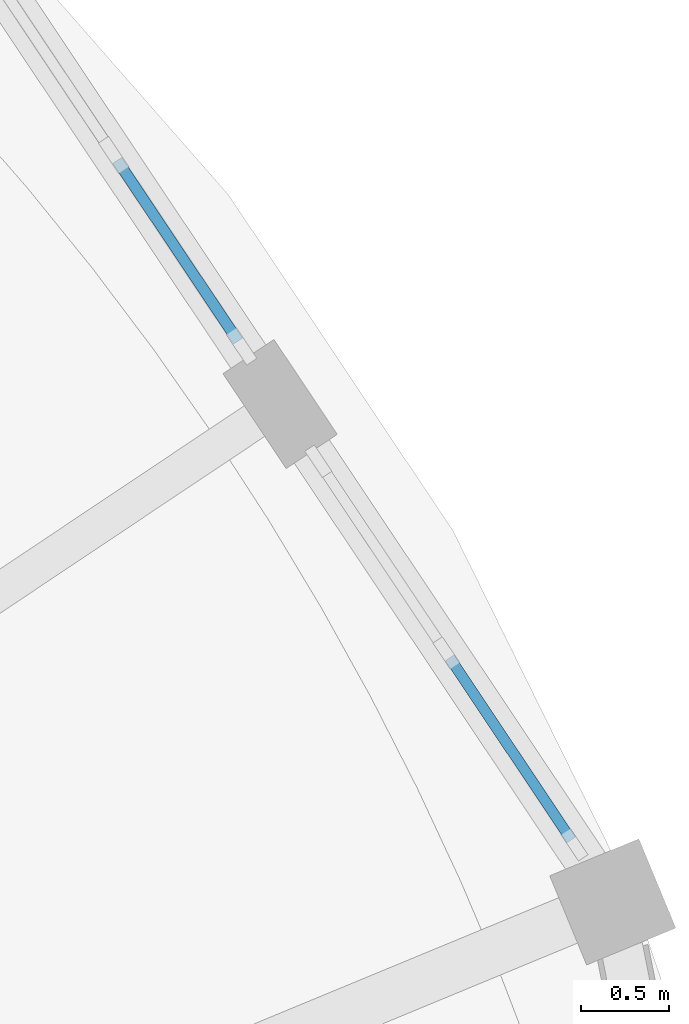
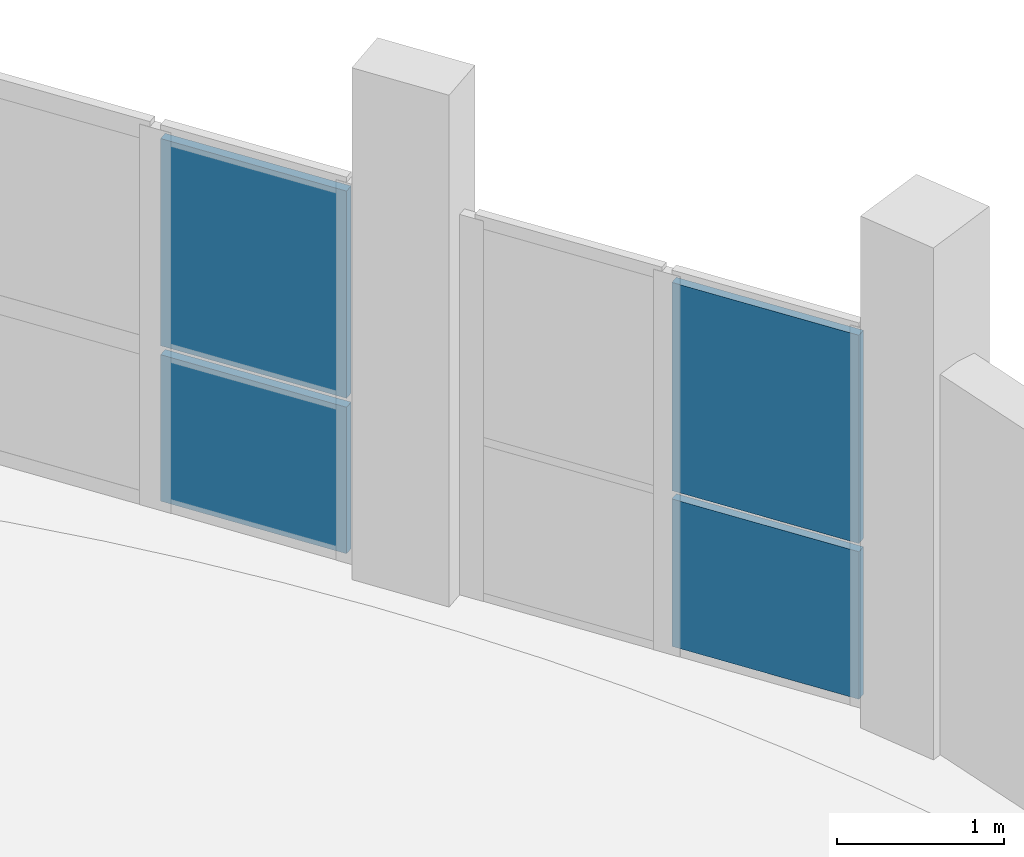
# One storey, part 54 of 77: 4 plates, 2 elements without a shape of their own.
"""IFC4 building model written with IfcOpenShell, lengths in metres."""

from ifc_helpers import new_model, si_unit, direction, frame, origin, origin_2d, place, context, subcontext, project, spatial, rectangle, extrude, material, layer, layer_set, type_object, element, aggregate, save


model = new_model("IFC4")

# Units and contexts
model_context = context("Model", 3, precision=1e-05, world=origin(), true_north=direction((0.0, 1.0)))
body_context = subcontext(model_context, "Body", "Model", "MODEL_VIEW")
ifc_project = project(units=[si_unit("LENGTHUNIT", "METRE"), si_unit("AREAUNIT", "SQUARE_METRE"), si_unit("VOLUMEUNIT", "CUBIC_METRE"), si_unit("PLANEANGLEUNIT", "RADIAN"), si_unit("MASSUNIT", "GRAM", prefix="KILO")], contexts=[model_context])

# Site, building, storey
site_placement = place(None, origin())
site = spatial("IfcSite", under=ifc_project, at=site_placement, CompositionType="ELEMENT")
building_placement = place(site_placement, origin())
building = spatial("IfcBuilding", under=site, at=building_placement, Name="Caldaven Crescent School", CompositionType="ELEMENT")
storey_placement = place(building_placement, frame((0.0, 0.0, 4.419921875)))
storey = spatial("IfcBuildingStorey", under=building, at=storey_placement, Name="L01", CompositionType="ELEMENT", Elevation=4.419921875)

# Curtain wall, plates
ifc_material_1 = material(Name="Anodised aluminium AA 6063-T6 and low-E double glazing", Category="aluminium")
ifc_layer_1 = layer(ifc_material_1, 0.18994140625)
ifc_layer_set_1 = layer_set([ifc_layer_1], Name="Anodised aluminium AA 6063-T6 and low-E double glazing")
curtain_wall_type_1 = type_object("IfcCurtainWallType", Name="CW-SYS2", PredefinedType="NOTDEFINED", material=ifc_layer_set_1)
curtain_wall_1_placement = place(storey_placement, origin())
curtain_wall_1 = element("IfcCurtainWall", 1, at=curtain_wall_1_placement, inside=storey, type_object=curtain_wall_type_1, Name="CW-L01-017", PredefinedType="NOTDEFINED")
ifc_material_2 = material(Name="Tempered low-E double glazing IGU", Category="glass")
ifc_layer_2 = layer(ifc_material_2, 0.06005859375)
ifc_layer_set_2 = layer_set([ifc_layer_2], Name="Tempered low-E double glazing IGU")
plate_type_1 = type_object("IfcPlateType", Name="PLT-CWP18", PredefinedType="CURTAIN_PANEL", material=ifc_layer_set_2)
plate_1_placement = place(storey_placement, frame((168.084716796875, 106.06982421875, 0.06005859375), z_axis=(0.0, 0.0, 1.0), x_axis=(-0.555569320019, 0.83147022235, 0.0)))
plate_1 = element("IfcPlate", 2, at=plate_1_placement, type_object=plate_type_1, Name="CW2 panel 1.1", PredefinedType="CURTAIN_PANEL", context=body_context, shape_type="SweptSolid", body=[
    extrude(rectangle(XDim=1.24951171875, YDim=0.06005859375, at=origin_2d()), origin(), (0.0, 0.0, 1.0), 1.077880859375),
])
plate_2_placement = place(storey_placement, frame((168.084716796875, 106.06982421875, 1.197998046875), z_axis=(0.0, 0.0, 1.0), x_axis=(-0.555569320019, 0.83147022235, 0.0)))
plate_2 = element("IfcPlate", 3, at=plate_2_placement, type_object=plate_type_1, Name="CW2 panel 1.2", PredefinedType="CURTAIN_PANEL", context=body_context, shape_type="SweptSolid", body=[
    extrude(rectangle(XDim=1.24951171875, YDim=0.06005859375, at=origin_2d()), origin(), (0.0, 0.0, 1.0), 1.52197265625),
])
aggregate(curtain_wall_1, [plate_1, plate_2])

ifc_layer_3 = layer(ifc_material_1, 0.2099609375)
ifc_layer_set_3 = layer_set([ifc_layer_3], Name="Anodised aluminium AA 6063-T6 and low-E double glazing")
curtain_wall_type_2 = type_object("IfcCurtainWallType", Name="CW-SYS3", PredefinedType="NOTDEFINED", material=ifc_layer_set_3)
curtain_wall_2_placement = place(storey_placement, origin())
curtain_wall_2 = element("IfcCurtainWall", 4, at=curtain_wall_2_placement, inside=storey, type_object=curtain_wall_type_2, Name="CW-L01-018", PredefinedType="NOTDEFINED")
ifc_material_3 = material(Name="Insulated bronze aluminium spandrel panel", Category="aluminium")
ifc_layer_4 = layer(ifc_material_3, 0.06201171875)
ifc_layer_set_4 = layer_set([ifc_layer_4], Name="Insulated bronze aluminium spandrel panel")
plate_type_2 = type_object("IfcPlateType", Name="PLT-CWP19", PredefinedType="CURTAIN_PANEL", material=ifc_layer_set_4)
plate_3_placement = place(storey_placement, frame((166.187255859375, 108.90966796875, 0.06494140625), z_axis=(0.0, 0.0, 1.0), x_axis=(-0.555571886154, 0.831468507711, 0.0)))
plate_3 = element("IfcPlate", 5, at=plate_3_placement, type_object=plate_type_2, Name="CW3 panel 1.1", PredefinedType="CURTAIN_PANEL", context=body_context, shape_type="SweptSolid", body=[
    extrude(rectangle(XDim=1.241943359375, YDim=0.06201171875, at=origin_2d()), origin(), (0.0, 0.0, 1.0), 1.070556640625),
])
plate_4_placement = place(storey_placement, frame((166.187255859375, 108.90966796875, 1.20068359375), z_axis=(0.0, 0.0, 1.0), x_axis=(-0.555571886154, 0.831468507711, 0.0)))
plate_4 = element("IfcPlate", 6, at=plate_4_placement, type_object=plate_type_2, Name="CW3 panel 1.2", PredefinedType="CURTAIN_PANEL", context=body_context, shape_type="SweptSolid", body=[
    extrude(rectangle(XDim=1.241943359375, YDim=0.06201171875, at=origin_2d()), origin(), (0.0, 0.0, 1.0), 1.514404296875),
])
aggregate(curtain_wall_2, [plate_3, plate_4])

save(model, "model.ifc")
